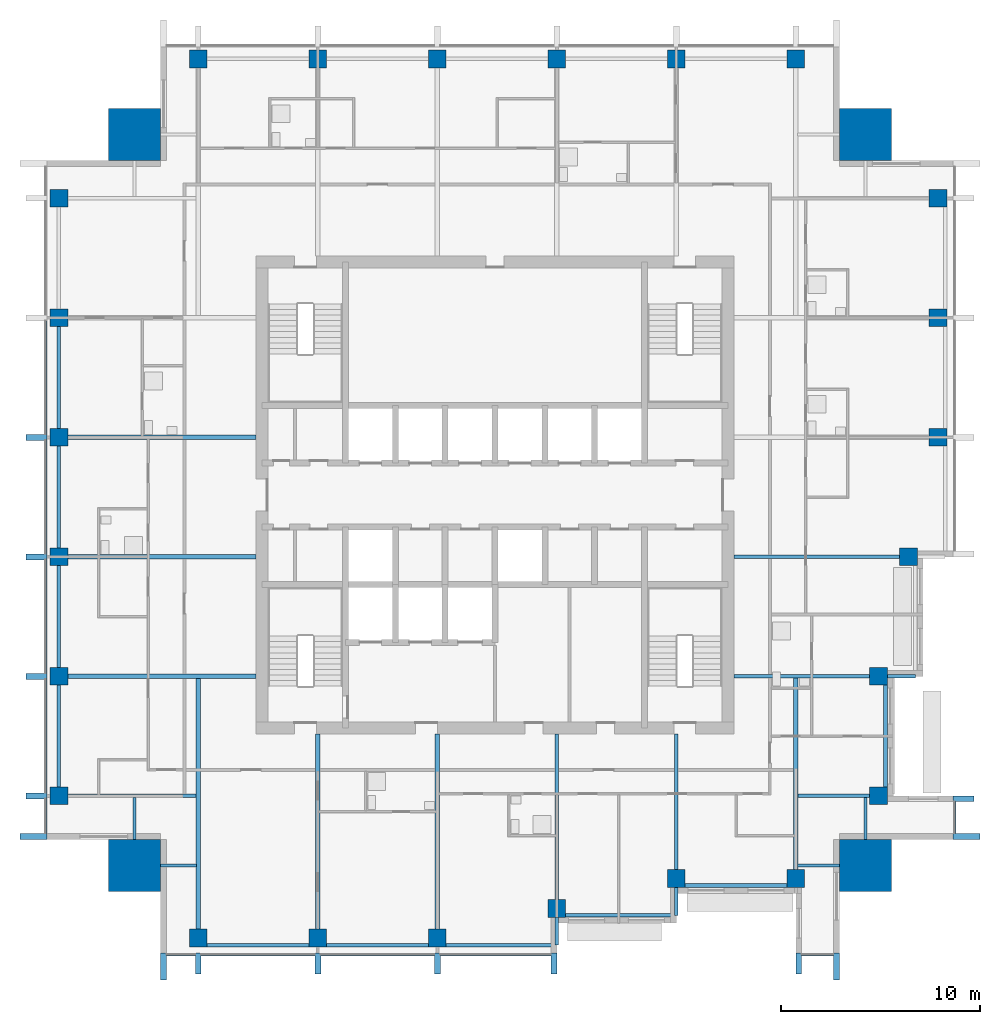
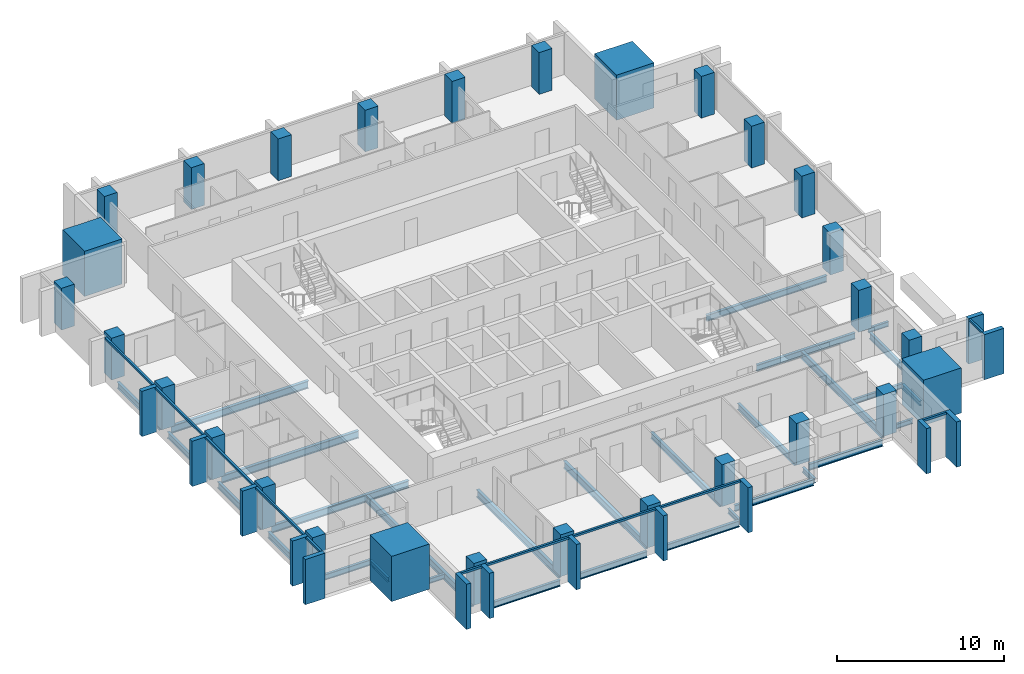
# One storey, part 1 of 10: 30 beams, 28 columns, 25 members, 4 elements without a shape of their own.
"""IFC4 building model written with IfcOpenShell, lengths in metres."""

import ifcopenshell
import ifcopenshell.guid

model = None  # the IFC model being written
_history = None  # IfcOwnerHistory: only IFC2X3 demands one
_inside = {}  # id of a spatial element -> (the spatial element, [elements in it])
_under = {}  # id of a project, library or spatial element -> (it, [spatial elements below it])
_declared = {}  # id of a project -> (the project, [libraries it declares])
_typed = {}  # id of a type object -> (the type object, [elements of that type])
_made_of = {}  # id of a material, layer set ... -> (it, [elements and type objects made of it])


def new_model(schema):
    """Start an empty IFC model of exactly this schema.

    Asked for "IFC4X3", IfcOpenShell would pick the latest addendum, in which some entities
    have other attributes; the version numbers below select the first issue.
    IFC2X3 requires an IfcOwnerHistory on every rooted entity: one is made here for all.
    """
    global model, _history
    if schema == "IFC4X3":
        model = ifcopenshell.file(schema_version=(4, 3, 0, 0))
    else:
        model = ifcopenshell.file(schema=schema)
    _inside.clear()
    _under.clear()
    _declared.clear()
    _typed.clear()
    _made_of.clear()
    _history = None
    if model.schema == "IFC2X3":
        org = make("IfcOrganization", Name="unknown")
        user = make(
            "IfcPersonAndOrganization",
            ThePerson=make("IfcPerson", FamilyName="unknown"),
            TheOrganization=org,
        )
        app = make(
            "IfcApplication",
            ApplicationDeveloper=org,
            Version="unknown",
            ApplicationFullName="unknown",
            ApplicationIdentifier="unknown",
        )
        _history = make(
            "IfcOwnerHistory",
            OwningUser=user,
            OwningApplication=app,
            ChangeAction="ADDED",
            CreationDate=0,
        )
    return model


def make(cls, **values):
    """One entity of the class cls with the attributes given. An attribute that is None is left unset."""
    return model.create_entity(
        cls, **{name: value for name, value in values.items() if value is not None}
    )


def rooted(cls, **values):
    """An entity with a GlobalId (a new one), such as an element, a storey or a relation."""
    return make(cls, GlobalId=ifcopenshell.guid.new(), OwnerHistory=_history, **values)


def si_unit(unit_type, name, prefix=None):
    """IfcSIUnit, for example si_unit("LENGTHUNIT", "METRE", prefix="MILLI")."""
    return make("IfcSIUnit", UnitType=unit_type, Prefix=prefix, Name=name)


def assignment(units):
    """IfcUnitAssignment: the units of a project."""
    return None if units is None else make("IfcUnitAssignment", Units=units)


def point(xyz):
    """IfcCartesianPoint."""
    return None if xyz is None else make("IfcCartesianPoint", Coordinates=xyz)


def direction(xyz):
    """IfcDirection."""
    return None if xyz is None else make("IfcDirection", DirectionRatios=xyz)


def frame(location, z_axis=None, x_axis=None):
    """IfcAxis2Placement3D, a coordinate frame: its origin and axes. An axis left out is left unset."""
    return make(
        "IfcAxis2Placement3D",
        Location=point(location),
        Axis=direction(z_axis),
        RefDirection=direction(x_axis),
    )


def frame_2d(location, x_axis=None):
    """IfcAxis2Placement2D, a coordinate frame in the plane: its origin and x axis."""
    return make(
        "IfcAxis2Placement2D", Location=point(location), RefDirection=direction(x_axis)
    )


def origin():
    """The frame at (0, 0, 0) with its axes left unset."""
    return frame((0.0, 0.0, 0.0))


def origin_2d():
    """The frame at (0, 0) in the plane with its x axis left unset."""
    return frame_2d((0.0, 0.0))


def place(relative_to, where):
    """IfcLocalPlacement: puts the frame where relative to a parent placement (None: the world)."""
    return make(
        "IfcLocalPlacement", PlacementRelTo=relative_to, RelativePlacement=where
    )


def context(
    kind, dimensions, precision=None, world=None, true_north=None, identifier=None
):
    """IfcGeometricRepresentationContext, for example the 3D "Model" context."""
    return make(
        "IfcGeometricRepresentationContext",
        ContextIdentifier=identifier,
        ContextType=kind,
        CoordinateSpaceDimension=dimensions,
        Precision=precision,
        WorldCoordinateSystem=world,
        TrueNorth=true_north,
    )


def subcontext(parent, identifier, kind, view, scale=None):
    """IfcGeometricRepresentationSubContext, for example "Body" below "Model"."""
    return make(
        "IfcGeometricRepresentationSubContext",
        ContextIdentifier=identifier,
        ContextType=kind,
        ParentContext=parent,
        TargetScale=scale,
        TargetView=view,
    )


def project(units=None, contexts=None):
    """IfcProject with its units and contexts."""
    return rooted(
        "IfcProject",
        Name="project",
        RepresentationContexts=contexts,
        UnitsInContext=assignment(units),
    )


def spatial(cls, under=None, at=None, **own):
    """A site, building, storey or space (cls), placed at a placement, below another one or the project."""
    s = rooted(cls, ObjectPlacement=at, **own)
    if under is not None:
        _under.setdefault(under.id(), (under, []))[1].append(s)
    return s


def profile(cls, at=None, kind="AREA", **sizes):
    """A parametric profile (cls). Its sizes go by their IFC names, for example OverallWidth=200.0."""
    return make(cls, ProfileType=kind, Position=at, **sizes)


def rectangle(**sizes):
    """IfcRectangleProfileDef."""
    return profile("IfcRectangleProfileDef", **sizes)


def i_section(**sizes):
    """IfcIShapeProfileDef."""
    return profile("IfcIShapeProfileDef", **sizes)


def extrude(swept, where, along, depth):
    """IfcExtrudedAreaSolid: the profile swept, set in the frame where, extruded along a direction by depth."""
    return make(
        "IfcExtrudedAreaSolid",
        SweptArea=swept,
        Position=where,
        ExtrudedDirection=direction(along),
        Depth=depth,
    )


def shape(context_of_items, identifier, shape_type, items):
    """IfcShapeRepresentation: the items that make up one representation, for example the "Body"."""
    return make(
        "IfcShapeRepresentation",
        ContextOfItems=context_of_items,
        RepresentationIdentifier=identifier,
        RepresentationType=shape_type,
        Items=items,
    )


def material(Name=None, Category=None):
    """IfcMaterial."""
    return make("IfcMaterial", Name=Name, Category=Category)


def material_profile(
    of_material, cross_section, Name=None, Category=None, Priority=None
):
    """IfcMaterialProfile: a cross section and its material."""
    return make(
        "IfcMaterialProfile",
        Name=Name,
        Material=of_material,
        Profile=cross_section,
        Priority=Priority,
        Category=Category,
    )


def profile_set(profiles, Name=None, composite=None):
    """IfcMaterialProfileSet."""
    return make(
        "IfcMaterialProfileSet",
        Name=Name,
        MaterialProfiles=profiles,
        CompositeProfile=composite,
    )


def made_of(thing, what):
    """Note that an element or type object is made of a material, layer set ...; save() writes the relation."""
    if what is not None:
        _made_of.setdefault(what.id(), (what, []))[1].append(thing)
    return thing


def type_object(cls, material=None, **own):
    """A type object (cls), such as IfcWallType, which elements share."""
    return made_of(rooted(cls, **own), material)


def element(
    cls,
    number,
    at=None,
    inside=None,
    cuts=None,
    type_object=None,
    material=None,
    context=None,
    identifier="Body",
    shape_type=None,
    held_by="IfcProductDefinitionShape",
    body=None,
    shapes=None,
    **own,
):
    """One element of the class cls, such as IfcWall. Its Tag is "e" and its number.

    at: its placement. inside: the storey or other place that contains it. cuts: it is an
    opening in that element (IfcRelVoidsElement). A single representation is given by context,
    identifier, shape_type and body (its items); several are given by shapes. held_by: the class
    of the entity that holds the representations. save() writes the other relations.
    """
    e = rooted(cls, Tag="e%d" % number, ObjectPlacement=at, **own)
    if body is not None:
        shapes = [shape(context, identifier, shape_type, body)]
    if shapes is not None:
        e.Representation = make(held_by, Representations=shapes)
    if inside is not None:
        _inside.setdefault(inside.id(), (inside, []))[1].append(e)
    if cuts is not None:
        rooted(
            "IfcRelVoidsElement", RelatingBuildingElement=cuts, RelatedOpeningElement=e
        )
    if type_object is not None:
        _typed.setdefault(type_object.id(), (type_object, []))[1].append(e)
    return made_of(e, material)


def aggregate(whole, parts):
    """IfcRelAggregates: a whole, such as a stair, and the parts it consists of."""
    return rooted("IfcRelAggregates", RelatingObject=whole, RelatedObjects=parts)


def save(model, path):
    """Write the relations noted so far, then the file.

    IfcRelAggregates (storeys below a building ...), IfcRelContainedInSpatialStructure (elements
    in a storey), IfcRelDefinesByType, IfcRelAssociatesMaterial and IfcRelDeclares: one each for
    every whole, place, type object, material and project.
    """
    for whole, parts in _under.values():
        aggregate(whole, parts)
    for where, things in _inside.values():
        rooted(
            "IfcRelContainedInSpatialStructure",
            RelatedElements=things,
            RelatingStructure=where,
        )
    for kind, things in _typed.values():
        rooted("IfcRelDefinesByType", RelatedObjects=things, RelatingType=kind)
    for what, things in _made_of.values():
        rooted("IfcRelAssociatesMaterial", RelatedObjects=things, RelatingMaterial=what)
    for by, libraries in _declared.values():
        rooted("IfcRelDeclares", RelatingContext=by, RelatedDefinitions=libraries)
    model.write(path)


model = new_model("IFC4")

# Units and contexts
model_context = context("Model", 3, precision=1e-05, world=origin(), true_north=direction((0.0, 1.0)))
body_context = subcontext(model_context, "Body", "Model", "MODEL_VIEW")
ifc_project = project(units=[si_unit("LENGTHUNIT", "METRE"), si_unit("AREAUNIT", "SQUARE_METRE"), si_unit("VOLUMEUNIT", "CUBIC_METRE"), si_unit("PLANEANGLEUNIT", "RADIAN"), si_unit("MASSUNIT", "GRAM", prefix="KILO")], contexts=[model_context])

# Site, building, storey
site_placement = place(None, origin())
site = spatial("IfcSite", under=ifc_project, at=site_placement, CompositionType="ELEMENT")
building_placement = place(site_placement, origin())
building = spatial("IfcBuilding", under=site, at=building_placement, Name="Amberfall Residences", CompositionType="ELEMENT")
storey_placement = place(building_placement, frame((0.0, 0.0, 193.60009765625)))
storey = spatial("IfcBuildingStorey", under=building, at=storey_placement, Name="L51", CompositionType="ELEMENT", Elevation=193.60009765625)

# Columns
ifc_material_1 = material(Name="Concrete C55", Category="concrete")
ifc_material_profile_1 = material_profile(ifc_material_1, rectangle(XDim=0.89990234375, YDim=0.89990234375, at=origin_2d()), Name="Column 900 x 900 C55")
ifc_profile_set_1 = profile_set([ifc_material_profile_1], Name="Concrete C55")
column_type_1 = type_object("IfcColumnType", Name="Column 900 x 900 C55", PredefinedType="COLUMN", material=ifc_profile_set_1)
for number, where, z_axis, x_axis, name in (
    (1, (59.60009765625, 23.25, 0.0), (0.0, 0.0, 1.0), (1.0, 0.0, 0.0), "Column C4 L51 S1"),
    (2, (65.60009765625, 23.25, 0.0), (0.0, 0.0, 1.0), (1.0, 0.0, 0.0), "Column C4 L51 S2"),
    (3, (71.60009765625, 23.25, 0.0), (0.0, 0.0, 1.0), (1.0, 0.0, 0.0), "Column C4 L51 S3"),
    (4, (77.60009765625, 24.75, 0.0), (0.0, 0.0, 1.0), (1.0, 0.0, 0.0), "Column C4 L51 S4"),
    (5, (83.60009765625, 26.25, 0.0), (0.0, 0.0, 1.0), (1.0, 0.0, 0.0), "Column C4 L51 S5"),
    (6, (89.60009765625, 26.25, 0.0), (0.0, 0.0, 1.0), (1.0, 0.0, 0.0), "Column C4 L51 S6"),
    (7, (93.75, 30.39990234375, 0.0), (0.0, 0.0, 1.0), (1.0, 0.0, 0.0), "Column C4 L51 E1"),
    (8, (93.75, 36.39990234375, 0.0), (0.0, 0.0, 1.0), (1.0, 0.0, 0.0), "Column C4 L51 E2"),
    (9, (95.25, 42.39990234375, 0.0), (0.0, 0.0, 1.0), (1.0, 0.0, 0.0), "Column C4 L51 E3"),
    (10, (96.75, 48.39990234375, 0.0), (0.0, 0.0, 1.0), (1.0, 0.0, 0.0), "Column C4 L51 E4"),
    (11, (96.75, 54.39990234375, 0.0), (0.0, 0.0, 1.0), (1.0, 0.0, 0.0), "Column C4 L51 E5"),
    (12, (96.75, 60.39990234375, 0.0), (0.0, 0.0, 1.0), (1.0, 0.0, 0.0), "Column C4 L51 E6"),
    (13, (59.60009765625, 67.39990234375, 0.0), (0.0, 0.0, 1.0), (1.0, 0.0, 0.0), "Column C4 L51 N1"),
    (14, (65.60009765625, 67.39990234375, 0.0), (0.0, 0.0, 1.0), (1.0, 0.0, 0.0), "Column C4 L51 N2"),
    (15, (71.60009765625, 67.39990234375, 0.0), (0.0, 0.0, 1.0), (1.0, 0.0, 0.0), "Column C4 L51 N3"),
    (16, (77.60009765625, 67.39990234375, 0.0), (0.0, 0.0, 1.0), (1.0, 0.0, 0.0), "Column C4 L51 N4"),
    (17, (83.60009765625, 67.39990234375, 0.0), (0.0, 0.0, 1.0), (1.0, 0.0, 0.0), "Column C4 L51 N5"),
    (18, (89.60009765625, 67.39990234375, 0.0), (0.0, 0.0, 1.0), (1.0, 0.0, 0.0), "Column C4 L51 N6"),
    (19, (52.60009765625, 30.39990234375, 0.0), (0.0, 0.0, 1.0), (1.0, 0.0, 0.0), "Column C4 L51 W1"),
    (20, (52.60009765625, 36.39990234375, 0.0), (0.0, 0.0, 1.0), (1.0, 0.0, 0.0), "Column C4 L51 W2"),
    (21, (52.60009765625, 42.39990234375, 0.0), (0.0, 0.0, 1.0), (1.0, 0.0, 0.0), "Column C4 L51 W3"),
    (22, (52.60009765625, 48.39990234375, 0.0), (0.0, 0.0, 1.0), (1.0, 0.0, 0.0), "Column C4 L51 W4"),
    (23, (52.60009765625, 54.39990234375, 0.0), (0.0, 0.0, 1.0), (1.0, 0.0, 0.0), "Column C4 L51 W5"),
    (24, (52.60009765625, 60.39990234375, 0.0), (0.0, 0.0, 1.0), (1.0, 0.0, 0.0), "Column C4 L51 W6"),
):
    element("IfcColumn", number, at=place(storey_placement, frame(where, z_axis=z_axis, x_axis=x_axis)), inside=storey, type_object=column_type_1, Name=name, PredefinedType="COLUMN", context=body_context, shape_type="SweptSolid", body=[
        extrude(rectangle(XDim=0.89990234375, YDim=0.89990234375, at=origin_2d()), origin(), (0.0, 0.0, 1.0), 3.0498046875),
    ])
ifc_material_profile_2 = material_profile(ifc_material_1, rectangle(XDim=2.60009765625, YDim=2.60009765625, at=origin_2d()), Name="Mega column 2600 x 2600 C55")
ifc_profile_set_2 = profile_set([ifc_material_profile_2], Name="Concrete C55")
column_type_2 = type_object("IfcColumnType", Name="Mega column 2600 x 2600 C55", PredefinedType="COLUMN", material=ifc_profile_set_2)
for number, where, z_axis, x_axis, name in (
    (25, (56.39990234375, 26.89990234375, 0.0), (0.0, 0.0, 1.0), (1.0, 0.0, 0.0), "Mega column MC8 L51 SW"),
    (26, (93.10009765625, 26.89990234375, 0.0), (0.0, 0.0, 1.0), (1.0, 0.0, 0.0), "Mega column MC8 L51 SE"),
    (27, (93.10009765625, 63.60009765625, 0.0), (0.0, 0.0, 1.0), (1.0, 0.0, 0.0), "Mega column MC8 L51 NE"),
    (28, (56.39990234375, 63.60009765625, 0.0), (0.0, 0.0, 1.0), (1.0, 0.0, 0.0), "Mega column MC8 L51 NW"),
):
    element("IfcColumn", number, at=place(storey_placement, frame(where, z_axis=z_axis, x_axis=x_axis)), inside=storey, type_object=column_type_2, Name=name, PredefinedType="COLUMN", context=body_context, shape_type="SweptSolid", body=[
        extrude(rectangle(XDim=2.60009765625, YDim=2.60009765625, at=origin_2d()), origin(), (0.0, 0.0, 1.0), 3.2998046875),
    ])

# Curtain wall, members
ifc_material_2 = material(Name="Bronze anodised aluminium and glass", Category="aluminium")
curtain_wall_type = type_object("IfcCurtainWallType", Name="Curtain wall CW1 tower unit", PredefinedType="USERDEFINED", material=ifc_material_2)
curtain_wall_1_placement = place(storey_placement, origin())
curtain_wall_1 = element("IfcCurtainWall", 29, at=curtain_wall_1_placement, inside=storey, type_object=curtain_wall_type, Name="Curtain wall L51 S S1", ObjectType="UNITISED CURTAIN WALL", PredefinedType="USERDEFINED")
ifc_material_3 = material(Name="Bronze anodised aluminium", Category="aluminium")
ifc_material_profile_3 = material_profile(ifc_material_3, rectangle(XDim=0.14990234375, YDim=0.14990234375, at=origin_2d()), Name="CW1 transom 150 x 150 bronze")
ifc_profile_set_3 = profile_set([ifc_material_profile_3], Name="Bronze anodised aluminium")
member_type_1 = type_object("IfcMemberType", Name="CW1 transom 150 x 150 bronze", PredefinedType="USERDEFINED", material=ifc_profile_set_3)
member_1_placement = place(storey_placement, frame((58.0, 22.425048828125, 2.974853515625), z_axis=(1.0, 0.0, 0.0), x_axis=(0.0, 1.0, 0.0)))
member_1 = element("IfcMember", 30, at=member_1_placement, type_object=member_type_1, Name="CW1 transom 1.1", ObjectType="TRANSOM", PredefinedType="USERDEFINED", context=body_context, shape_type="SweptSolid", body=[
    extrude(rectangle(XDim=0.14990234375, YDim=0.14990234375, at=origin_2d()), origin(), (0.0, 0.0, 1.0), 1.449951171875),
])
member_2_placement = place(storey_placement, frame((59.75, 22.425048828125, 2.974853515625), z_axis=(1.0, 0.0, 0.0), x_axis=(0.0, 1.0, 0.0)))
member_2 = element("IfcMember", 31, at=member_2_placement, type_object=member_type_1, Name="CW1 transom 2.1", ObjectType="TRANSOM", PredefinedType="USERDEFINED", context=body_context, shape_type="SweptSolid", body=[
    extrude(rectangle(XDim=0.14990234375, YDim=0.14990234375, at=origin_2d()), origin(), (0.0, 0.0, 1.0), 5.699951171875),
])
member_3_placement = place(storey_placement, frame((65.75, 22.425048828125, 2.974853515625), z_axis=(1.0, 0.0, 0.0), x_axis=(0.0, 1.0, 0.0)))
member_3 = element("IfcMember", 32, at=member_3_placement, type_object=member_type_1, Name="CW1 transom 3.1", ObjectType="TRANSOM", PredefinedType="USERDEFINED", context=body_context, shape_type="SweptSolid", body=[
    extrude(rectangle(XDim=0.14990234375, YDim=0.14990234375, at=origin_2d()), origin(), (0.0, 0.0, 1.0), 5.699951171875),
])
member_4_placement = place(storey_placement, frame((71.75, 22.425048828125, 2.974853515625), z_axis=(1.0, 0.0, 0.0), x_axis=(0.0, 1.0, 0.0)))
member_4 = element("IfcMember", 33, at=member_4_placement, type_object=member_type_1, Name="CW1 transom 4.1", ObjectType="TRANSOM", PredefinedType="USERDEFINED", context=body_context, shape_type="SweptSolid", body=[
    extrude(rectangle(XDim=0.14990234375, YDim=0.14990234375, at=origin_2d()), origin(), (0.0, 0.0, 1.0), 5.550048828125),
])

# Curtain wall, member
curtain_wall_2_placement = place(storey_placement, origin())
curtain_wall_2 = element("IfcCurtainWall", 34, at=curtain_wall_2_placement, inside=storey, type_object=curtain_wall_type, Name="Curtain wall L51 S S7", ObjectType="UNITISED CURTAIN WALL", PredefinedType="USERDEFINED")
member_5_placement = place(storey_placement, frame((89.89990234375, 22.425048828125, 2.974853515625), z_axis=(1.0, 0.0, 0.0), x_axis=(0.0, 1.0, 0.0)))
member_5 = element("IfcMember", 35, at=member_5_placement, type_object=member_type_1, Name="CW1 transom 1.1", ObjectType="TRANSOM", PredefinedType="USERDEFINED", context=body_context, shape_type="SweptSolid", body=[
    extrude(rectangle(XDim=0.14990234375, YDim=0.14990234375, at=origin_2d()), origin(), (0.0, 0.0, 1.0), 1.60009765625),
])

curtain_wall_3_placement = place(storey_placement, origin())
curtain_wall_3 = element("IfcCurtainWall", 36, at=curtain_wall_3_placement, inside=storey, type_object=curtain_wall_type, Name="Curtain wall L51 E E1", ObjectType="UNITISED CURTAIN WALL", PredefinedType="USERDEFINED")
member_6_placement = place(storey_placement, frame((97.574951171875, 28.5, 2.974853515625), z_axis=(0.0, 1.0, 0.0), x_axis=(-1.0, 0.0, 0.0)))
member_6 = element("IfcMember", 37, at=member_6_placement, type_object=member_type_1, Name="CW1 transom 1.1", ObjectType="TRANSOM", PredefinedType="USERDEFINED", context=body_context, shape_type="SweptSolid", body=[
    extrude(rectangle(XDim=0.14990234375, YDim=0.14990234375, at=origin_2d()), origin(), (0.0, 0.0, 1.0), 1.60009765625),
])

# Curtain wall, members
curtain_wall_4_placement = place(storey_placement, origin())
curtain_wall_4 = element("IfcCurtainWall", 38, at=curtain_wall_4_placement, inside=storey, type_object=curtain_wall_type, Name="Curtain wall L51 W W1", ObjectType="UNITISED CURTAIN WALL", PredefinedType="USERDEFINED")
member_7_placement = place(storey_placement, frame((51.925048828125, 54.25, 2.974853515625), z_axis=(0.0, -1.0, 0.0), x_axis=(1.0, 0.0, 0.0)))
member_7 = element("IfcMember", 39, at=member_7_placement, type_object=member_type_1, Name="CW1 transom 3.1", ObjectType="TRANSOM", PredefinedType="USERDEFINED", context=body_context, shape_type="SweptSolid", body=[
    extrude(rectangle(XDim=0.14990234375, YDim=0.14990234375, at=origin_2d()), origin(), (0.0, 0.0, 1.0), 5.699951171875),
])
member_8_placement = place(storey_placement, frame((51.925048828125, 48.25, 2.974853515625), z_axis=(0.0, -1.0, 0.0), x_axis=(1.0, 0.0, 0.0)))
member_8 = element("IfcMember", 40, at=member_8_placement, type_object=member_type_1, Name="CW1 transom 4.1", ObjectType="TRANSOM", PredefinedType="USERDEFINED", context=body_context, shape_type="SweptSolid", body=[
    extrude(rectangle(XDim=0.14990234375, YDim=0.14990234375, at=origin_2d()), origin(), (0.0, 0.0, 1.0), 5.699951171875),
])
member_9_placement = place(storey_placement, frame((51.925048828125, 42.25, 2.974853515625), z_axis=(0.0, -1.0, 0.0), x_axis=(1.0, 0.0, 0.0)))
member_9 = element("IfcMember", 41, at=member_9_placement, type_object=member_type_1, Name="CW1 transom 5.1", ObjectType="TRANSOM", PredefinedType="USERDEFINED", context=body_context, shape_type="SweptSolid", body=[
    extrude(rectangle(XDim=0.14990234375, YDim=0.14990234375, at=origin_2d()), origin(), (0.0, 0.0, 1.0), 5.699951171875),
])
member_10_placement = place(storey_placement, frame((51.925048828125, 36.25, 2.974853515625), z_axis=(0.0, -1.0, 0.0), x_axis=(1.0, 0.0, 0.0)))
member_10 = element("IfcMember", 42, at=member_10_placement, type_object=member_type_1, Name="CW1 transom 6.1", ObjectType="TRANSOM", PredefinedType="USERDEFINED", context=body_context, shape_type="SweptSolid", body=[
    extrude(rectangle(XDim=0.14990234375, YDim=0.14990234375, at=origin_2d()), origin(), (0.0, 0.0, 1.0), 5.699951171875),
])
member_11_placement = place(storey_placement, frame((51.925048828125, 30.25, 2.974853515625), z_axis=(0.0, -1.0, 0.0), x_axis=(1.0, 0.0, 0.0)))
member_11 = element("IfcMember", 43, at=member_11_placement, type_object=member_type_1, Name="CW1 transom 7.1", ObjectType="TRANSOM", PredefinedType="USERDEFINED", context=body_context, shape_type="SweptSolid", body=[
    extrude(rectangle(XDim=0.14990234375, YDim=0.14990234375, at=origin_2d()), origin(), (0.0, 0.0, 1.0), 1.75),
])

# Beams
ifc_material_4 = material(Name="Steel S355", Category="steel")
ifc_material_profile_4 = material_profile(ifc_material_4, i_section(OverallWidth=0.171142578125, OverallDepth=0.351318359375, WebThickness=0.007080078125, FlangeThickness=0.009765625, FilletRadius=0.01025390625, at=origin_2d()), Name="UB 356x171x45")
ifc_profile_set_4 = profile_set([ifc_material_profile_4], Name="Steel S355")
beam_type_1 = type_object("IfcBeamType", Name="Cantilever girder UB 356x171x45", PredefinedType="BEAM", material=ifc_profile_set_4)
for number, where, z_axis, x_axis, name in (
    (44, (77.60009765625, 24.300048828125, -0.42578125), (0.0, -1.0, 0.0), (1.0, 0.0, 0.0), "Cantilever girder B8 L51 06"),
    (45, (83.60009765625, 25.800048828125, -0.42578125), (0.0, -1.0, 0.0), (1.0, 0.0, 0.0), "Cantilever girder B8 L51 07"),
    (46, (94.199951171875, 36.39990234375, -0.42578125), (1.0, 0.0, 0.0), (0.0, 1.0, 0.0), "Cantilever girder B8 L51 19"),
):
    element("IfcBeam", number, at=place(storey_placement, frame(where, z_axis=z_axis, x_axis=x_axis)), inside=storey, type_object=beam_type_1, Name=name, PredefinedType="BEAM", context=body_context, shape_type="SweptSolid", body=[
        extrude(i_section(OverallWidth=0.171142578125, OverallDepth=0.351318359375, WebThickness=0.007080078125, FlangeThickness=0.009765625, FilletRadius=0.01025390625, at=origin_2d()), origin(), (0.0, 0.0, 1.0), 1.400146484375),
    ])

# Member
ifc_material_profile_5 = material_profile(ifc_material_3, rectangle(XDim=1.35009765625, YDim=0.300048828125, at=origin_2d()), Name="Corner fin 300 x 1350 bronze")
ifc_profile_set_5 = profile_set([ifc_material_profile_5], Name="Bronze anodised aluminium")
member_type_2 = type_object("IfcMemberType", Name="Corner fin 300 x 1350 bronze", PredefinedType="MULLION", material=ifc_profile_set_5)
member_12_placement = place(storey_placement, frame((57.85009765625, 21.824951171875, -0.25), z_axis=(0.0, 0.0, 1.0), x_axis=(0.0, 1.0, 0.0)))
member_12 = element("IfcMember", 47, at=member_12_placement, type_object=member_type_2, Name="CW FIN 1", PredefinedType="MULLION", context=body_context, shape_type="SweptSolid", body=[
    extrude(rectangle(XDim=1.35009765625, YDim=0.300048828125, at=origin_2d()), origin(), (0.0, 0.0, 1.0), 3.2998046875),
])

member_13_placement = place(storey_placement, frame((91.64990234375, 21.824951171875, -0.25), z_axis=(0.0, 0.0, 1.0), x_axis=(0.0, 1.0, 0.0)))
member_13 = element("IfcMember", 48, at=member_13_placement, type_object=member_type_2, Name="CW FIN 2", PredefinedType="MULLION", context=body_context, shape_type="SweptSolid", body=[
    extrude(rectangle(XDim=1.35009765625, YDim=0.300048828125, at=origin_2d()), origin(), (0.0, 0.0, 1.0), 3.2998046875),
])

member_14_placement = place(storey_placement, frame((98.175048828125, 28.35009765625, -0.25), z_axis=(0.0, 0.0, 1.0), x_axis=(-1.0, 0.0, 0.0)))
member_14 = element("IfcMember", 49, at=member_14_placement, type_object=member_type_2, Name="CW FIN 1", PredefinedType="MULLION", context=body_context, shape_type="SweptSolid", body=[
    extrude(rectangle(XDim=1.35009765625, YDim=0.300048828125, at=origin_2d()), origin(), (0.0, 0.0, 1.0), 3.2998046875),
])

member_15_placement = place(storey_placement, frame((51.324951171875, 28.35009765625, -0.25), z_axis=(0.0, 0.0, 1.0), x_axis=(1.0, 0.0, 0.0)))
member_15 = element("IfcMember", 50, at=member_15_placement, type_object=member_type_2, Name="CW FIN 8", PredefinedType="MULLION", context=body_context, shape_type="SweptSolid", body=[
    extrude(rectangle(XDim=1.35009765625, YDim=0.300048828125, at=origin_2d()), origin(), (0.0, 0.0, 1.0), 3.2998046875),
])

# Beams
ifc_material_profile_6 = material_profile(ifc_material_4, i_section(OverallWidth=0.18994140625, OverallDepth=0.453369140625, WebThickness=0.008544921875, FlangeThickness=0.0126953125, FilletRadius=0.01025390625, at=origin_2d()), Name="UB 457x191x67")
ifc_profile_set_6 = profile_set([ifc_material_profile_6], Name="Steel S355")
beam_type_2 = type_object("IfcBeamType", Name="Edge beam UB 457x191x67", PredefinedType="SPANDREL", material=ifc_profile_set_6)
for number, where, z_axis, x_axis, name in (
    (51, (60.050048828125, 22.89990234375, -0.476806640625), (1.0, 0.0, 0.0), (0.0, 1.0, 0.0), "Edge beam B1 L51 01"),
    (52, (66.050048828125, 22.89990234375, -0.476806640625), (1.0, 0.0, 0.0), (0.0, 1.0, 0.0), "Edge beam B1 L51 02"),
):
    element("IfcBeam", number, at=place(storey_placement, frame(where, z_axis=z_axis, x_axis=x_axis)), inside=storey, type_object=beam_type_2, Name=name, PredefinedType="SPANDREL", context=body_context, shape_type="SweptSolid", body=[
        extrude(i_section(OverallWidth=0.18994140625, OverallDepth=0.453369140625, WebThickness=0.008544921875, FlangeThickness=0.0126953125, FilletRadius=0.01025390625, at=origin_2d()), origin(), (0.0, 0.0, 1.0), 5.099853515625),
    ])
for number, where, z_axis, x_axis, name in (
    (53, (72.050048828125, 22.89990234375, -0.476806640625), (1.0, 0.0, 0.0), (0.0, 1.0, 0.0), "Edge beam B1 L51 03"),
    (54, (78.050048828125, 24.39990234375, -0.476806640625), (1.0, 0.0, 0.0), (0.0, 1.0, 0.0), "Edge beam B1 L51 04"),
):
    element("IfcBeam", number, at=place(storey_placement, frame(where, z_axis=z_axis, x_axis=x_axis)), inside=storey, type_object=beam_type_2, Name=name, PredefinedType="SPANDREL", context=body_context, shape_type="SweptSolid", body=[
        extrude(i_section(OverallWidth=0.18994140625, OverallDepth=0.453369140625, WebThickness=0.008544921875, FlangeThickness=0.0126953125, FilletRadius=0.01025390625, at=origin_2d()), origin(), (0.0, 0.0, 1.0), 5.469970703125),
    ])
for number, where, z_axis, x_axis, name in (
    (55, (84.050048828125, 25.89990234375, -0.476806640625), (1.0, 0.0, 0.0), (0.0, 1.0, 0.0), "Edge beam B1 L51 05"),
    (56, (94.10009765625, 30.85009765625, -0.476806640625), (0.0, 1.0, 0.0), (-1.0, 0.0, 0.0), "Edge beam B1 L51 14"),
    (57, (52.60009765625, 30.85009765625, -0.476806640625), (0.0, 1.0, 0.0), (-1.0, 0.0, 0.0), "Edge beam B1 L51 38"),
    (58, (52.60009765625, 36.85009765625, -0.476806640625), (0.0, 1.0, 0.0), (-1.0, 0.0, 0.0), "Edge beam B1 L51 39"),
    (59, (52.60009765625, 42.85009765625, -0.476806640625), (0.0, 1.0, 0.0), (-1.0, 0.0, 0.0), "Edge beam B1 L51 40"),
    (60, (52.60009765625, 48.85009765625, -0.476806640625), (0.0, 1.0, 0.0), (-1.0, 0.0, 0.0), "Edge beam B1 L51 41"),
):
    element("IfcBeam", number, at=place(storey_placement, frame(where, z_axis=z_axis, x_axis=x_axis)), inside=storey, type_object=beam_type_2, Name=name, PredefinedType="SPANDREL", context=body_context, shape_type="SweptSolid", body=[
        extrude(i_section(OverallWidth=0.18994140625, OverallDepth=0.453369140625, WebThickness=0.008544921875, FlangeThickness=0.0126953125, FilletRadius=0.01025390625, at=origin_2d()), origin(), (0.0, 0.0, 1.0), 5.099853515625),
    ])

# Member
ifc_material_profile_7 = material_profile(ifc_material_3, rectangle(XDim=1.050048828125, YDim=0.300048828125, at=origin_2d()), Name="Fin 300 x 1050 bronze")
ifc_profile_set_7 = profile_set([ifc_material_profile_7], Name="Bronze anodised aluminium")
member_type_3 = type_object("IfcMemberType", Name="Fin 300 x 1050 bronze", PredefinedType="MULLION", material=ifc_profile_set_7)
member_16_placement = place(storey_placement, frame((59.60009765625, 21.97509765625, -0.25), z_axis=(0.0, 0.0, 1.0), x_axis=(0.0, 1.0, 0.0)))
member_16 = element("IfcMember", 61, at=member_16_placement, type_object=member_type_3, Name="CW FIN 2", PredefinedType="MULLION", context=body_context, shape_type="SweptSolid", body=[
    extrude(rectangle(XDim=1.050048828125, YDim=0.300048828125, at=origin_2d()), origin(), (0.0, 0.0, 1.0), 3.2998046875),
])

member_17_placement = place(storey_placement, frame((65.60009765625, 21.97509765625, -0.25), z_axis=(0.0, 0.0, 1.0), x_axis=(0.0, 1.0, 0.0)))
member_17 = element("IfcMember", 62, at=member_17_placement, type_object=member_type_3, Name="CW FIN 3", PredefinedType="MULLION", context=body_context, shape_type="SweptSolid", body=[
    extrude(rectangle(XDim=1.050048828125, YDim=0.300048828125, at=origin_2d()), origin(), (0.0, 0.0, 1.0), 3.2998046875),
])

member_18_placement = place(storey_placement, frame((71.60009765625, 21.97509765625, -0.25), z_axis=(0.0, 0.0, 1.0), x_axis=(0.0, 1.0, 0.0)))
member_18 = element("IfcMember", 63, at=member_18_placement, type_object=member_type_3, Name="CW FIN 4", PredefinedType="MULLION", context=body_context, shape_type="SweptSolid", body=[
    extrude(rectangle(XDim=1.050048828125, YDim=0.300048828125, at=origin_2d()), origin(), (0.0, 0.0, 1.0), 3.2998046875),
])

member_19_placement = place(storey_placement, frame((77.449951171875, 21.97509765625, -0.25), z_axis=(0.0, 0.0, 1.0), x_axis=(0.0, 1.0, 0.0)))
member_19 = element("IfcMember", 64, at=member_19_placement, type_object=member_type_3, Name="CW FIN 5", PredefinedType="MULLION", context=body_context, shape_type="SweptSolid", body=[
    extrude(rectangle(XDim=1.050048828125, YDim=0.300048828125, at=origin_2d()), origin(), (0.0, 0.0, 1.0), 3.2998046875),
])

aggregate(curtain_wall_1, [member_12, member_16, member_17, member_18, member_19, member_1, member_2, member_3, member_4])

member_20_placement = place(storey_placement, frame((89.75, 21.97509765625, -0.25), z_axis=(0.0, 0.0, 1.0), x_axis=(0.0, 1.0, 0.0)))
member_20 = element("IfcMember", 65, at=member_20_placement, type_object=member_type_3, Name="CW FIN 1", PredefinedType="MULLION", context=body_context, shape_type="SweptSolid", body=[
    extrude(rectangle(XDim=1.050048828125, YDim=0.300048828125, at=origin_2d()), origin(), (0.0, 0.0, 1.0), 3.2998046875),
])

aggregate(curtain_wall_2, [member_20, member_13, member_5])

member_21_placement = place(storey_placement, frame((98.02490234375, 30.25, -0.25), z_axis=(0.0, 0.0, 1.0), x_axis=(-1.0, 0.0, 0.0)))
member_21 = element("IfcMember", 66, at=member_21_placement, type_object=member_type_3, Name="CW FIN 2", PredefinedType="MULLION", context=body_context, shape_type="SweptSolid", body=[
    extrude(rectangle(XDim=1.050048828125, YDim=0.300048828125, at=origin_2d()), origin(), (0.0, 0.0, 1.0), 3.2998046875),
])

aggregate(curtain_wall_3, [member_14, member_21, member_6])

member_22_placement = place(storey_placement, frame((51.47509765625, 48.39990234375, -0.25), z_axis=(0.0, 0.0, 1.0), x_axis=(1.0, 0.0, 0.0)))
member_22 = element("IfcMember", 67, at=member_22_placement, type_object=member_type_3, Name="CW FIN 4", PredefinedType="MULLION", context=body_context, shape_type="SweptSolid", body=[
    extrude(rectangle(XDim=1.050048828125, YDim=0.300048828125, at=origin_2d()), origin(), (0.0, 0.0, 1.0), 3.2998046875),
])

member_23_placement = place(storey_placement, frame((51.47509765625, 42.39990234375, -0.25), z_axis=(0.0, 0.0, 1.0), x_axis=(1.0, 0.0, 0.0)))
member_23 = element("IfcMember", 68, at=member_23_placement, type_object=member_type_3, Name="CW FIN 5", PredefinedType="MULLION", context=body_context, shape_type="SweptSolid", body=[
    extrude(rectangle(XDim=1.050048828125, YDim=0.300048828125, at=origin_2d()), origin(), (0.0, 0.0, 1.0), 3.2998046875),
])

member_24_placement = place(storey_placement, frame((51.47509765625, 36.39990234375, -0.25), z_axis=(0.0, 0.0, 1.0), x_axis=(1.0, 0.0, 0.0)))
member_24 = element("IfcMember", 69, at=member_24_placement, type_object=member_type_3, Name="CW FIN 6", PredefinedType="MULLION", context=body_context, shape_type="SweptSolid", body=[
    extrude(rectangle(XDim=1.050048828125, YDim=0.300048828125, at=origin_2d()), origin(), (0.0, 0.0, 1.0), 3.2998046875),
])

member_25_placement = place(storey_placement, frame((51.47509765625, 30.39990234375, -0.25), z_axis=(0.0, 0.0, 1.0), x_axis=(1.0, 0.0, 0.0)))
member_25 = element("IfcMember", 70, at=member_25_placement, type_object=member_type_3, Name="CW FIN 7", PredefinedType="MULLION", context=body_context, shape_type="SweptSolid", body=[
    extrude(rectangle(XDim=1.050048828125, YDim=0.300048828125, at=origin_2d()), origin(), (0.0, 0.0, 1.0), 3.2998046875),
])

aggregate(curtain_wall_4, [member_22, member_23, member_24, member_25, member_15, member_7, member_8, member_9, member_10, member_11])

# Beams
ifc_material_profile_8 = material_profile(ifc_material_4, i_section(OverallWidth=0.171142578125, OverallDepth=0.351318359375, WebThickness=0.007080078125, FlangeThickness=0.009765625, FilletRadius=0.01025390625, at=origin_2d()), Name="UB 356x171x45")
ifc_profile_set_8 = profile_set([ifc_material_profile_8], Name="Steel S355")
beam_type_3 = type_object("IfcBeamType", Name="Floor girder UB 356x171x45", PredefinedType="BEAM", material=ifc_profile_set_8)
beam_1_placement = place(storey_placement, frame((93.300048828125, 30.39990234375, -0.42578125), z_axis=(-1.0, 0.0, 0.0), x_axis=(0.0, -1.0, 0.0)))
element("IfcBeam", 71, at=beam_1_placement, inside=storey, type_object=beam_type_3, Name="Floor girder B11 L51 21", PredefinedType="BEAM", context=body_context, shape_type="SweptSolid", body=[
    extrude(i_section(OverallWidth=0.171142578125, OverallDepth=0.351318359375, WebThickness=0.007080078125, FlangeThickness=0.009765625, FilletRadius=0.01025390625, at=origin_2d()), origin(), (0.0, 0.0, 1.0), 3.580078125),
])
ifc_material_profile_9 = material_profile(ifc_material_4, i_section(OverallWidth=0.177734375, OverallDepth=0.402587890625, WebThickness=0.0078125, FlangeThickness=0.010986328125, FilletRadius=0.01025390625, at=origin_2d()), Name="UB 406x178x54")
ifc_profile_set_9 = profile_set([ifc_material_profile_9], Name="Steel S355")
beam_type_4 = type_object("IfcBeamType", Name="Floor girder UB 406x178x54", PredefinedType="BEAM", material=ifc_profile_set_9)
beam_2_placement = place(storey_placement, frame((53.050048828125, 30.39990234375, -0.451416015625), z_axis=(1.0, 0.0, 0.0), x_axis=(0.0, 1.0, 0.0)))
element("IfcBeam", 72, at=beam_2_placement, inside=storey, type_object=beam_type_4, Name="Floor girder B4 L51 43", PredefinedType="BEAM", context=body_context, shape_type="SweptSolid", body=[
    extrude(i_section(OverallWidth=0.177734375, OverallDepth=0.402587890625, WebThickness=0.0078125, FlangeThickness=0.010986328125, FilletRadius=0.01025390625, at=origin_2d()), origin(), (0.0, 0.0, 1.0), 6.429931640625),
])
ifc_material_profile_10 = material_profile(ifc_material_4, i_section(OverallWidth=0.19140625, OverallDepth=0.4599609375, WebThickness=0.010009765625, FlangeThickness=0.01611328125, FilletRadius=0.01025390625, at=origin_2d()), Name="UB 457x191x82")
ifc_profile_set_10 = profile_set([ifc_material_profile_10], Name="Steel S355")
beam_type_5 = type_object("IfcBeamType", Name="Floor girder UB 457x191x82", PredefinedType="BEAM", material=ifc_profile_set_10)
beam_3_placement = place(storey_placement, frame((77.60009765625, 25.199951171875, -0.47998046875), z_axis=(0.0, 1.0, 0.0), x_axis=(-1.0, 0.0, 0.0)))
element("IfcBeam", 73, at=beam_3_placement, inside=storey, type_object=beam_type_5, Name="Floor girder B10 L51 11", PredefinedType="BEAM", context=body_context, shape_type="SweptSolid", body=[
    extrude(i_section(OverallWidth=0.19140625, OverallDepth=0.4599609375, WebThickness=0.010009765625, FlangeThickness=0.01611328125, FilletRadius=0.01025390625, at=origin_2d()), origin(), (0.0, 0.0, 1.0), 8.300048828125),
])
for number, where, z_axis, x_axis, name in (
    (74, (83.60009765625, 26.699951171875, -0.47998046875), (0.0, 1.0, 0.0), (-1.0, 0.0, 0.0), "Floor girder B10 L51 12"),
    (75, (93.300048828125, 36.39990234375, -0.47998046875), (-1.0, 0.0, 0.0), (0.0, -1.0, 0.0), "Floor girder B10 L51 22"),
):
    element("IfcBeam", number, at=place(storey_placement, frame(where, z_axis=z_axis, x_axis=x_axis)), inside=storey, type_object=beam_type_5, Name=name, PredefinedType="BEAM", context=body_context, shape_type="SweptSolid", body=[
        extrude(i_section(OverallWidth=0.19140625, OverallDepth=0.4599609375, WebThickness=0.010009765625, FlangeThickness=0.01611328125, FilletRadius=0.01025390625, at=origin_2d()), origin(), (0.0, 0.0, 1.0), 6.800048828125),
    ])
beam_4_placement = place(storey_placement, frame((94.800048828125, 42.39990234375, -0.47998046875), z_axis=(-1.0, 0.0, 0.0), x_axis=(0.0, -1.0, 0.0)))
element("IfcBeam", 76, at=beam_4_placement, inside=storey, type_object=beam_type_5, Name="Floor girder B10 L51 23", PredefinedType="BEAM", context=body_context, shape_type="SweptSolid", body=[
    extrude(i_section(OverallWidth=0.19140625, OverallDepth=0.4599609375, WebThickness=0.010009765625, FlangeThickness=0.01611328125, FilletRadius=0.01025390625, at=origin_2d()), origin(), (0.0, 0.0, 1.0), 8.300048828125),
])
ifc_material_profile_11 = material_profile(ifc_material_4, i_section(OverallWidth=0.210693359375, OverallDepth=0.53955078125, WebThickness=0.01171875, FlangeThickness=0.018798828125, FilletRadius=0.0126953125, at=origin_2d()), Name="UB 533x210x109")
ifc_profile_set_11 = profile_set([ifc_material_profile_11], Name="Steel S355")
beam_type_6 = type_object("IfcBeamType", Name="Floor girder UB 533x210x109", PredefinedType="BEAM", material=ifc_profile_set_11)
beam_5_placement = place(storey_placement, frame((59.60009765625, 23.699951171875, -0.519775390625), z_axis=(0.0, 1.0, 0.0), x_axis=(-1.0, 0.0, 0.0)))
element("IfcBeam", 77, at=beam_5_placement, inside=storey, type_object=beam_type_6, Name="Floor girder B2 L51 08", PredefinedType="BEAM", context=body_context, shape_type="SweptSolid", body=[
    extrude(i_section(OverallWidth=0.210693359375, OverallDepth=0.53955078125, WebThickness=0.01171875, FlangeThickness=0.018798828125, FilletRadius=0.0126953125, at=origin_2d()), origin(), (0.0, 0.0, 1.0), 12.600341796875),
])
ifc_material_profile_12 = material_profile(ifc_material_4, i_section(OverallWidth=0.209228515625, OverallDepth=0.533203125, WebThickness=0.010009765625, FlangeThickness=0.015625, FilletRadius=0.0126953125, at=origin_2d()), Name="UB 533x210x92")
ifc_profile_set_12 = profile_set([ifc_material_profile_12], Name="Steel S355")
beam_type_7 = type_object("IfcBeamType", Name="Floor girder UB 533x210x92", PredefinedType="BEAM", material=ifc_profile_set_12)
for number, where, z_axis, x_axis, name in (
    (78, (65.60009765625, 23.699951171875, -0.5166015625), (0.0, 1.0, 0.0), (-1.0, 0.0, 0.0), "Floor girder B3 L51 09"),
    (79, (71.60009765625, 23.699951171875, -0.5166015625), (0.0, 1.0, 0.0), (-1.0, 0.0, 0.0), "Floor girder B3 L51 10"),
):
    element("IfcBeam", number, at=place(storey_placement, frame(where, z_axis=z_axis, x_axis=x_axis)), inside=storey, type_object=beam_type_7, Name=name, PredefinedType="BEAM", context=body_context, shape_type="SweptSolid", body=[
        extrude(i_section(OverallWidth=0.209228515625, OverallDepth=0.533203125, WebThickness=0.010009765625, FlangeThickness=0.015625, FilletRadius=0.0126953125, at=origin_2d()), origin(), (0.0, 0.0, 1.0), 9.800048828125),
    ])
beam_6_placement = place(storey_placement, frame((89.60009765625, 26.699951171875, -0.5166015625), z_axis=(0.0, 1.0, 0.0), x_axis=(-1.0, 0.0, 0.0)))
element("IfcBeam", 80, at=beam_6_placement, inside=storey, type_object=beam_type_7, Name="Floor girder B3 L51 13", PredefinedType="BEAM", context=body_context, shape_type="SweptSolid", body=[
    extrude(i_section(OverallWidth=0.209228515625, OverallDepth=0.533203125, WebThickness=0.010009765625, FlangeThickness=0.015625, FilletRadius=0.0126953125, at=origin_2d()), origin(), (0.0, 0.0, 1.0), 9.609375),
])
for number, where, z_axis, x_axis, name in (
    (81, (53.050048828125, 36.39990234375, -0.5166015625), (1.0, 0.0, 0.0), (0.0, 1.0, 0.0), "Floor girder B3 L51 44"),
    (82, (53.050048828125, 42.39990234375, -0.5166015625), (1.0, 0.0, 0.0), (0.0, 1.0, 0.0), "Floor girder B3 L51 45"),
    (83, (53.050048828125, 48.39990234375, -0.5166015625), (1.0, 0.0, 0.0), (0.0, 1.0, 0.0), "Floor girder B3 L51 46"),
):
    element("IfcBeam", number, at=place(storey_placement, frame(where, z_axis=z_axis, x_axis=x_axis)), inside=storey, type_object=beam_type_7, Name=name, PredefinedType="BEAM", context=body_context, shape_type="SweptSolid", body=[
        extrude(i_section(OverallWidth=0.209228515625, OverallDepth=0.533203125, WebThickness=0.010009765625, FlangeThickness=0.015625, FilletRadius=0.0126953125, at=origin_2d()), origin(), (0.0, 0.0, 1.0), 9.449951171875),
    ])
ifc_material_profile_13 = material_profile(ifc_material_4, i_section(OverallWidth=0.171142578125, OverallDepth=0.351318359375, WebThickness=0.007080078125, FlangeThickness=0.009765625, FilletRadius=0.01025390625, at=origin_2d()), Name="UB 356x171x45")
ifc_profile_set_13 = profile_set([ifc_material_profile_13], Name="Steel S355")
beam_type_8 = type_object("IfcBeamType", Name="Link beam UB 356x171x45", PredefinedType="BEAM", material=ifc_profile_set_13)
beam_7_placement = place(storey_placement, frame((57.699951171875, 26.89990234375, -0.42578125), z_axis=(1.0, 0.0, 0.0), x_axis=(0.0, 1.0, 0.0)))
element("IfcBeam", 84, at=beam_7_placement, inside=storey, type_object=beam_type_8, Name="Link beam B7 L51 49", PredefinedType="BEAM", context=body_context, shape_type="SweptSolid", body=[
    extrude(i_section(OverallWidth=0.171142578125, OverallDepth=0.351318359375, WebThickness=0.007080078125, FlangeThickness=0.009765625, FilletRadius=0.01025390625, at=origin_2d()), origin(), (0.0, 0.0, 1.0), 1.8046875),
])
beam_8_placement = place(storey_placement, frame((56.39990234375, 28.199951171875, -0.42578125), z_axis=(0.0, 1.0, 0.0), x_axis=(-1.0, 0.0, 0.0)))
element("IfcBeam", 85, at=beam_8_placement, inside=storey, type_object=beam_type_8, Name="Link beam B7 L51 50", PredefinedType="BEAM", context=body_context, shape_type="SweptSolid", body=[
    extrude(i_section(OverallWidth=0.171142578125, OverallDepth=0.351318359375, WebThickness=0.007080078125, FlangeThickness=0.009765625, FilletRadius=0.01025390625, at=origin_2d()), origin(), (0.0, 0.0, 1.0), 2.121337890625),
])
beam_9_placement = place(storey_placement, frame((91.800048828125, 26.89990234375, -0.42578125), z_axis=(-1.0, 0.0, 0.0), x_axis=(0.0, -1.0, 0.0)))
element("IfcBeam", 86, at=beam_9_placement, inside=storey, type_object=beam_type_8, Name="Link beam B7 L51 51", PredefinedType="BEAM", context=body_context, shape_type="SweptSolid", body=[
    extrude(i_section(OverallWidth=0.171142578125, OverallDepth=0.351318359375, WebThickness=0.007080078125, FlangeThickness=0.009765625, FilletRadius=0.01025390625, at=origin_2d()), origin(), (0.0, 0.0, 1.0), 2.10546875),
])
beam_10_placement = place(storey_placement, frame((93.10009765625, 28.199951171875, -0.42578125), z_axis=(0.0, 1.0, 0.0), x_axis=(-1.0, 0.0, 0.0)))
element("IfcBeam", 87, at=beam_10_placement, inside=storey, type_object=beam_type_8, Name="Link beam B7 L51 52", PredefinedType="BEAM", context=body_context, shape_type="SweptSolid", body=[
    extrude(i_section(OverallWidth=0.171142578125, OverallDepth=0.351318359375, WebThickness=0.007080078125, FlangeThickness=0.009765625, FilletRadius=0.01025390625, at=origin_2d()), origin(), (0.0, 0.0, 1.0), 2.12451171875),
])

save(model, "model.ifc")
